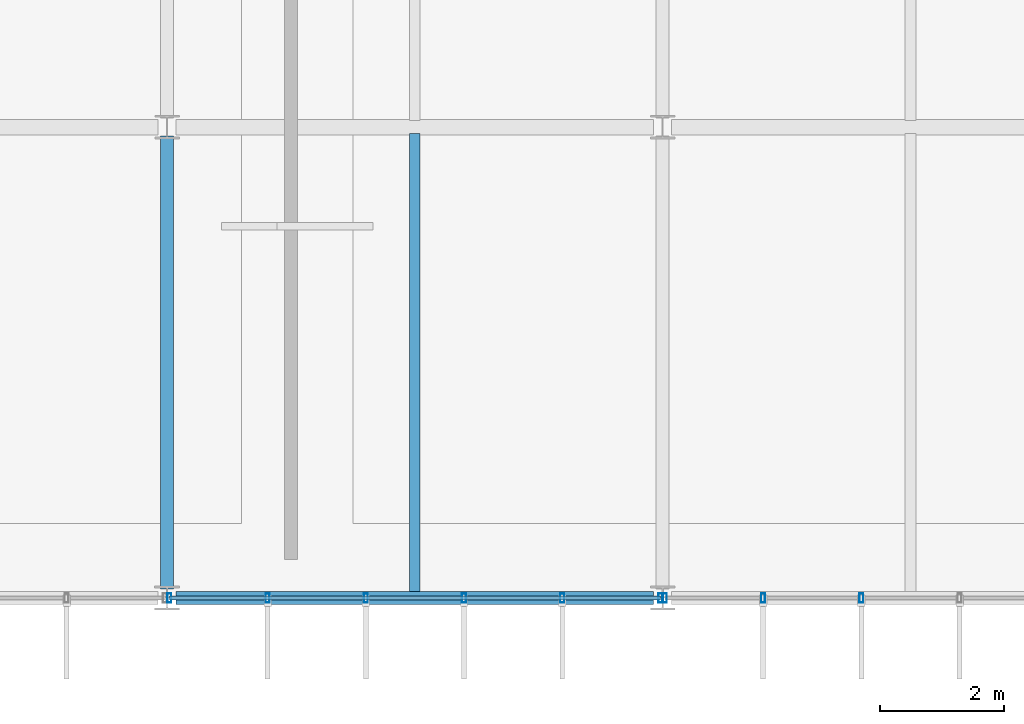
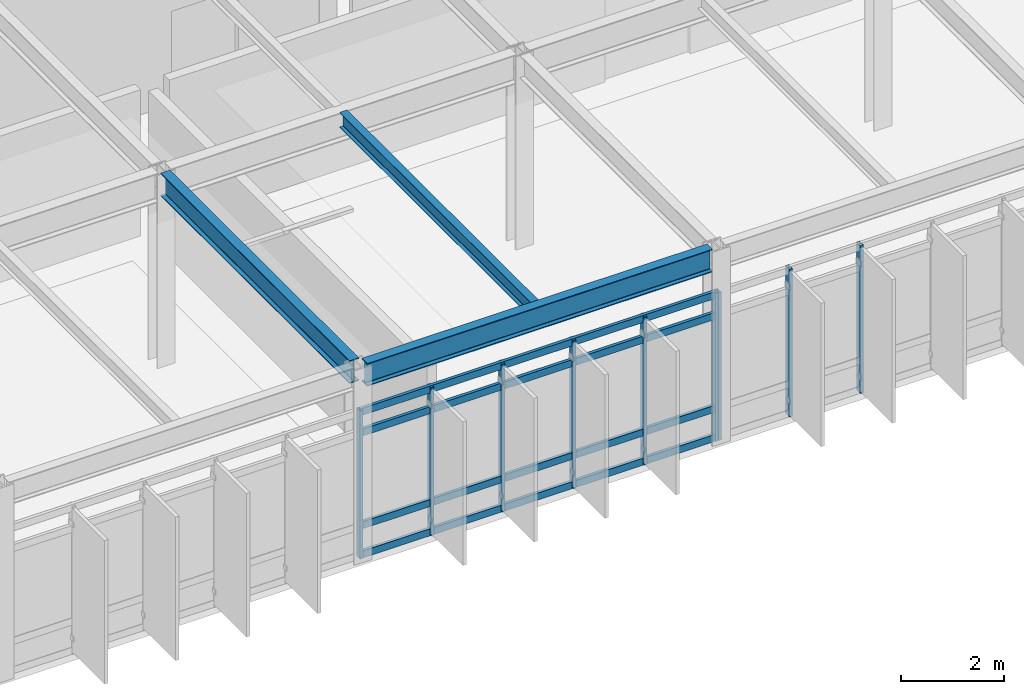
# One storey, part 22 of 104: 13 members, 3 beams, 2 elements without a shape of their own.
"""IFC4 building model written with IfcOpenShell, lengths in metres."""

from ifc_helpers import new_model, si_unit, direction, frame, origin, origin_2d, place, context, subcontext, project, spatial, hollow_rectangle, i_section, extrude, material, material_profile, profile_set, type_object, element, aggregate, save


model = new_model("IFC4")

# Units and contexts
model_context = context("Model", 3, precision=1e-05, world=origin(), true_north=direction((0.0, 1.0)))
body_context = subcontext(model_context, "Body", "Model", "MODEL_VIEW")
ifc_project = project(units=[si_unit("LENGTHUNIT", "METRE"), si_unit("AREAUNIT", "SQUARE_METRE"), si_unit("VOLUMEUNIT", "CUBIC_METRE"), si_unit("PLANEANGLEUNIT", "RADIAN"), si_unit("MASSUNIT", "GRAM", prefix="KILO")], contexts=[model_context])

# Site, building, storey
site_placement = place(None, origin())
site = spatial("IfcSite", under=ifc_project, at=site_placement, CompositionType="ELEMENT")
building_placement = place(site_placement, origin())
building = spatial("IfcBuilding", under=site, at=building_placement, Name="Zulena Civic Courthouse", CompositionType="ELEMENT")
storey_placement = place(building_placement, frame((0.0, 0.0, 15.60009765625)))
storey = spatial("IfcBuildingStorey", under=building, at=storey_placement, Name="L03", CompositionType="ELEMENT", Elevation=15.60009765625)

# Curtain wall, members
ifc_material_1 = material(Name="Double-silver low-E laminated solar-control glass", Category="glass")
curtain_wall_type = type_object("IfcCurtainWallType", Name="CW_7928x3490", PredefinedType="USERDEFINED", material=ifc_material_1)
curtain_wall_1_placement = place(storey_placement, origin())
curtain_wall_1 = element("IfcCurtainWall", 1, at=curtain_wall_1_placement, inside=storey, type_object=curtain_wall_type, Name="cw:V2:L03:3:4", ObjectType="UNITISED CURTAIN WALL", PredefinedType="USERDEFINED")
ifc_material_2 = material(Name="Bronze anodised thermally broken aluminium AA6063-T6", Category="aluminium")
ifc_material_profile_1 = material_profile(ifc_material_2, hollow_rectangle(XDim=0.06494140625, YDim=0.14990234375, WallThickness=0.00390625, at=origin_2d()), Name="CWM150X65X4")
ifc_profile_set_1 = profile_set([ifc_material_profile_1], Name="Bronze anodised thermally broken aluminium AA6063-T6")
member_type_1 = type_object("IfcMemberType", Name="CWMullion_150x65", PredefinedType="MULLION", material=ifc_profile_set_1)
member_1_placement = place(storey_placement, frame((31.207275390625, 0.0, 0.0), z_axis=(0.0, 0.0, 1.0), x_axis=(1.0, 0.0, 0.0)))
member_1 = element("IfcMember", 2, at=member_1_placement, type_object=member_type_1, Name="cw:V2:L03:3:4:mull:3", PredefinedType="MULLION", context=body_context, shape_type="SweptSolid", body=[
    extrude(hollow_rectangle(XDim=0.06494140625, YDim=0.14990234375, WallThickness=0.00390625, at=origin_2d()), origin(), (0.0, 0.0, 1.0), 3.489990234375),
])
member_2_placement = place(storey_placement, frame((29.62158203125, 0.0, 0.0), z_axis=(0.0, 0.0, 1.0), x_axis=(1.0, 0.0, 0.0)))
member_2 = element("IfcMember", 3, at=member_2_placement, type_object=member_type_1, Name="cw:V2:L03:3:4:mull:4", PredefinedType="MULLION", context=body_context, shape_type="SweptSolid", body=[
    extrude(hollow_rectangle(XDim=0.06494140625, YDim=0.14990234375, WallThickness=0.00390625, at=origin_2d()), origin(), (0.0, 0.0, 1.0), 3.489990234375),
])
member_3_placement = place(storey_placement, frame((28.035888671875, 0.0, 0.0), z_axis=(0.0, 0.0, 1.0), x_axis=(1.0, 0.0, 0.0)))
member_3 = element("IfcMember", 4, at=member_3_placement, type_object=member_type_1, Name="cw:V2:L03:3:4:mull:5", PredefinedType="MULLION", context=body_context, shape_type="SweptSolid", body=[
    extrude(hollow_rectangle(XDim=0.06494140625, YDim=0.14990234375, WallThickness=0.00390625, at=origin_2d()), origin(), (0.0, 0.0, 1.0), 3.489990234375),
])
aggregate(curtain_wall_1, [member_1, member_2, member_3])

curtain_wall_2_placement = place(storey_placement, origin())
curtain_wall_2 = element("IfcCurtainWall", 5, at=curtain_wall_2_placement, inside=storey, type_object=curtain_wall_type, Name="cw:V2:L03:3:5", ObjectType="UNITISED CURTAIN WALL", PredefinedType="USERDEFINED")
member_4_placement = place(storey_placement, frame((27.964111328125, 0.0, 0.0), z_axis=(0.0, 0.0, 1.0), x_axis=(1.0, 0.0, 0.0)))
member_4 = element("IfcMember", 6, at=member_4_placement, type_object=member_type_1, Name="cw:V2:L03:3:5:mull:0", PredefinedType="MULLION", context=body_context, shape_type="SweptSolid", body=[
    extrude(hollow_rectangle(XDim=0.06494140625, YDim=0.14990234375, WallThickness=0.00390625, at=origin_2d()), origin(), (0.0, 0.0, 1.0), 3.489990234375),
])
member_5_placement = place(storey_placement, frame((26.37841796875, 0.0, 0.0), z_axis=(0.0, 0.0, 1.0), x_axis=(1.0, 0.0, 0.0)))
member_5 = element("IfcMember", 7, at=member_5_placement, type_object=member_type_1, Name="cw:V2:L03:3:5:mull:1", PredefinedType="MULLION", context=body_context, shape_type="SweptSolid", body=[
    extrude(hollow_rectangle(XDim=0.06494140625, YDim=0.14990234375, WallThickness=0.00390625, at=origin_2d()), origin(), (0.0, 0.0, 1.0), 3.489990234375),
])
member_6_placement = place(storey_placement, frame((24.792724609375, 0.0, 0.0), z_axis=(0.0, 0.0, 1.0), x_axis=(1.0, 0.0, 0.0)))
member_6 = element("IfcMember", 8, at=member_6_placement, type_object=member_type_1, Name="cw:V2:L03:3:5:mull:2", PredefinedType="MULLION", context=body_context, shape_type="SweptSolid", body=[
    extrude(hollow_rectangle(XDim=0.06494140625, YDim=0.14990234375, WallThickness=0.00390625, at=origin_2d()), origin(), (0.0, 0.0, 1.0), 3.489990234375),
])
member_7_placement = place(storey_placement, frame((23.207275390625, 0.0, 0.0), z_axis=(0.0, 0.0, 1.0), x_axis=(1.0, 0.0, 0.0)))
member_7 = element("IfcMember", 9, at=member_7_placement, type_object=member_type_1, Name="cw:V2:L03:3:5:mull:3", PredefinedType="MULLION", context=body_context, shape_type="SweptSolid", body=[
    extrude(hollow_rectangle(XDim=0.06494140625, YDim=0.14990234375, WallThickness=0.00390625, at=origin_2d()), origin(), (0.0, 0.0, 1.0), 3.489990234375),
])
member_8_placement = place(storey_placement, frame((21.62158203125, 0.0, 0.0), z_axis=(0.0, 0.0, 1.0), x_axis=(1.0, 0.0, 0.0)))
member_8 = element("IfcMember", 10, at=member_8_placement, type_object=member_type_1, Name="cw:V2:L03:3:5:mull:4", PredefinedType="MULLION", context=body_context, shape_type="SweptSolid", body=[
    extrude(hollow_rectangle(XDim=0.06494140625, YDim=0.14990234375, WallThickness=0.00390625, at=origin_2d()), origin(), (0.0, 0.0, 1.0), 3.489990234375),
])
member_9_placement = place(storey_placement, frame((20.035888671875, 0.0, 0.0), z_axis=(0.0, 0.0, 1.0), x_axis=(1.0, 0.0, 0.0)))
member_9 = element("IfcMember", 11, at=member_9_placement, type_object=member_type_1, Name="cw:V2:L03:3:5:mull:5", PredefinedType="MULLION", context=body_context, shape_type="SweptSolid", body=[
    extrude(hollow_rectangle(XDim=0.06494140625, YDim=0.14990234375, WallThickness=0.00390625, at=origin_2d()), origin(), (0.0, 0.0, 1.0), 3.489990234375),
])
ifc_material_profile_2 = material_profile(ifc_material_2, hollow_rectangle(XDim=0.070068359375, YDim=0.1650390625, WallThickness=0.00390625, at=origin_2d()), Name="CWT165X70X4")
ifc_profile_set_2 = profile_set([ifc_material_profile_2], Name="Bronze anodised thermally broken aluminium AA6063-T6")
member_type_2 = type_object("IfcMemberType", Name="CWTransom_165x70", PredefinedType="USERDEFINED", material=ifc_profile_set_2)
member_10_placement = place(storey_placement, frame((27.964111328125, 0.0, 0.059814453125), z_axis=(-1.0, 0.0, 0.0), x_axis=(0.0, -1.0, 0.0)))
member_10 = element("IfcMember", 12, at=member_10_placement, type_object=member_type_2, Name="cw:V2:L03:3:5:tran:0", ObjectType="TRANSOM", PredefinedType="USERDEFINED", context=body_context, shape_type="SweptSolid", body=[
    extrude(hollow_rectangle(XDim=0.070068359375, YDim=0.1650390625, WallThickness=0.00390625, at=origin_2d()), origin(), (0.0, 0.0, 1.0), 7.92822265625),
])
member_11_placement = place(storey_placement, frame((27.964111328125, 0.0, 0.75), z_axis=(-1.0, 0.0, 0.0), x_axis=(0.0, -1.0, 0.0)))
member_11 = element("IfcMember", 13, at=member_11_placement, type_object=member_type_2, Name="cw:V2:L03:3:5:tran:1", ObjectType="TRANSOM", PredefinedType="USERDEFINED", context=body_context, shape_type="SweptSolid", body=[
    extrude(hollow_rectangle(XDim=0.070068359375, YDim=0.1650390625, WallThickness=0.00390625, at=origin_2d()), origin(), (0.0, 0.0, 1.0), 7.92822265625),
])
member_12_placement = place(storey_placement, frame((27.964111328125, 0.0, 2.93994140625), z_axis=(-1.0, 0.0, 0.0), x_axis=(0.0, -1.0, 0.0)))
member_12 = element("IfcMember", 14, at=member_12_placement, type_object=member_type_2, Name="cw:V2:L03:3:5:tran:2", ObjectType="TRANSOM", PredefinedType="USERDEFINED", context=body_context, shape_type="SweptSolid", body=[
    extrude(hollow_rectangle(XDim=0.070068359375, YDim=0.1650390625, WallThickness=0.00390625, at=origin_2d()), origin(), (0.0, 0.0, 1.0), 7.92822265625),
])
member_13_placement = place(storey_placement, frame((27.964111328125, 0.0, 3.429931640625), z_axis=(-1.0, 0.0, 0.0), x_axis=(0.0, -1.0, 0.0)))
member_13 = element("IfcMember", 15, at=member_13_placement, type_object=member_type_2, Name="cw:V2:L03:3:5:tran:3", ObjectType="TRANSOM", PredefinedType="USERDEFINED", context=body_context, shape_type="SweptSolid", body=[
    extrude(hollow_rectangle(XDim=0.070068359375, YDim=0.1650390625, WallThickness=0.00390625, at=origin_2d()), origin(), (0.0, 0.0, 1.0), 7.92822265625),
])
aggregate(curtain_wall_2, [member_4, member_5, member_6, member_7, member_8, member_9, member_10, member_11, member_12, member_13])

# Beams
ifc_material_3 = material(Name="Steel ASTM A992 Grade 50", Category="steel")
ifc_material_profile_3 = material_profile(ifc_material_3, i_section(OverallWidth=0.1708984375, OverallDepth=0.35205078125, WebThickness=0.0068359375, FlangeThickness=0.009765625, FilletRadius=0.01025390625, at=origin_2d()), Name="W14X30")
ifc_profile_set_3 = profile_set([ifc_material_profile_3], Name="Steel ASTM A992 Grade 50")
beam_type_1 = type_object("IfcBeamType", Name="Joist_W14X30", PredefinedType="JOIST", material=ifc_profile_set_3)
beam_1_placement = place(storey_placement, frame((24.0, 0.10498046875, 4.413818359375), z_axis=(0.0, 1.0, 0.0), x_axis=(-1.0, 0.0, 0.0)))
element("IfcBeam", 16, at=beam_1_placement, inside=storey, type_object=beam_type_1, Name="joist:V2:L03:24.00:0.0_7.6", PredefinedType="JOIST", context=body_context, shape_type="SweptSolid", body=[
    extrude(i_section(OverallWidth=0.1708984375, OverallDepth=0.35205078125, WebThickness=0.0068359375, FlangeThickness=0.009765625, FilletRadius=0.01025390625, at=origin_2d()), origin(), (0.0, 0.0, 1.0), 7.39013671875),
])
ifc_material_profile_4 = material_profile(ifc_material_3, i_section(OverallWidth=0.2099609375, OverallDepth=0.537109375, WebThickness=0.010986328125, FlangeThickness=0.017333984375, FilletRadius=0.0126953125, at=origin_2d()), Name="W21X68")
ifc_profile_set_4 = profile_set([ifc_material_profile_4], Name="Steel ASTM A992 Grade 50")
beam_type_2 = type_object("IfcBeamType", Name="Spandrel_W21X68", PredefinedType="SPANDREL", material=ifc_profile_set_4)
beam_2_placement = place(storey_placement, frame((20.14501953125, 0.0, 4.3212890625), z_axis=(1.0, 0.0, 0.0), x_axis=(0.0, 1.0, 0.0)))
element("IfcBeam", 17, at=beam_2_placement, inside=storey, type_object=beam_type_2, Name="beam:X:V2:L03:0.0:20.0_28.0", PredefinedType="SPANDREL", context=body_context, shape_type="SweptSolid", body=[
    extrude(i_section(OverallWidth=0.2099609375, OverallDepth=0.537109375, WebThickness=0.010986328125, FlangeThickness=0.017333984375, FilletRadius=0.0126953125, at=origin_2d()), origin(), (0.0, 0.0, 1.0), 7.7099609375),
])
beam_3_placement = place(storey_placement, frame((20.0, 0.14501953125, 4.3212890625), z_axis=(0.0, 1.0, 0.0), x_axis=(-1.0, 0.0, 0.0)))
element("IfcBeam", 18, at=beam_3_placement, inside=storey, type_object=beam_type_2, Name="beam:Y:V2:L03:20.0:0.0_7.6", PredefinedType="SPANDREL", context=body_context, shape_type="SweptSolid", body=[
    extrude(i_section(OverallWidth=0.2099609375, OverallDepth=0.537109375, WebThickness=0.010986328125, FlangeThickness=0.017333984375, FilletRadius=0.0126953125, at=origin_2d()), origin(), (0.0, 0.0, 1.0), 7.31005859375),
])

save(model, "model.ifc")
